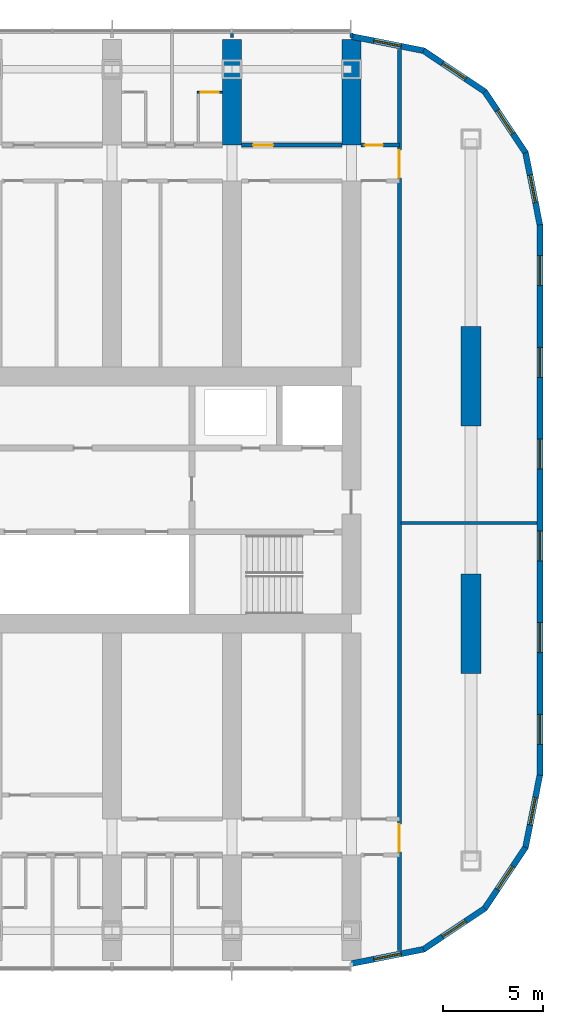
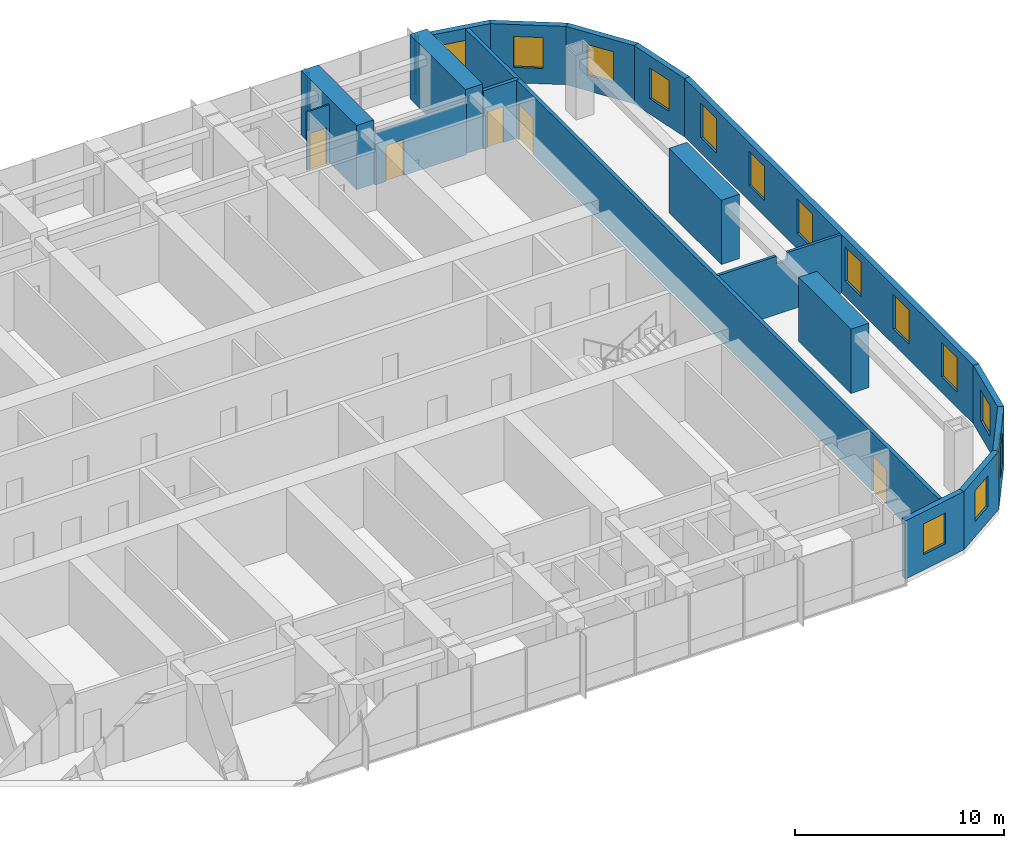
# One storey, part 15 of 20: 20 walls, 14 windows, 5 doors, 19 openings.
"""IFC4 building model written with IfcOpenShell, lengths in metres."""

from ifc_helpers import new_model, si_unit, direction, frame, frame_2d, origin, place, context, subcontext, project, spatial, polyline, rectangle, outline, extrude, material, layer, layer_set, type_object, element, fill, save


model = new_model("IFC4")

# Units and contexts
model_context = context("Model", 3, precision=1e-05, world=origin(), true_north=direction((0.0, 1.0)))
body_context = subcontext(model_context, "Body", "Model", "MODEL_VIEW")
ifc_project = project(units=[si_unit("LENGTHUNIT", "METRE"), si_unit("AREAUNIT", "SQUARE_METRE"), si_unit("VOLUMEUNIT", "CUBIC_METRE"), si_unit("PLANEANGLEUNIT", "RADIAN"), si_unit("MASSUNIT", "GRAM", prefix="KILO")], contexts=[model_context])

# Site, building, storey
site_placement = place(None, origin())
site = spatial("IfcSite", under=ifc_project, at=site_placement, CompositionType="ELEMENT")
building_placement = place(site_placement, origin())
building = spatial("IfcBuilding", under=site, at=building_placement, Name="Orbita Commons", CompositionType="ELEMENT")
storey_placement = place(building_placement, frame((0.0, 0.0, 129.39990234375)))
storey = spatial("IfcBuildingStorey", under=building, at=storey_placement, Name="L32", CompositionType="ELEMENT", Elevation=129.39990234375)

# Wall, opening, door
ifc_material_1 = material(Name="Concrete blockwork", Category="masonry")
ifc_layer_1 = layer(ifc_material_1, 0.199951171875)
ifc_layer_set_1 = layer_set([ifc_layer_1], Name="Concrete blockwork")
wall_type_1 = type_object("IfcWallType", Name="Corridor wall 200 blockwork", PredefinedType="SOLIDWALL", material=ifc_layer_set_1)
wall_1_placement = place(storey_placement, frame((60.47509765625, 49.800048828125, 0.0), z_axis=(0.0, 0.0, 1.0), x_axis=(1.0, 0.0, 0.0)))
wall_1 = element("IfcWall", 1, at=wall_1_placement, inside=storey, type_object=wall_type_1, Name="Corridor wall 200 blockwork L32", PredefinedType="SOLIDWALL", context=body_context, shape_type="SweptSolid", body=[
    extrude(outline(polyline([(0.0, 0.0), (5.0498046875, 0.0), (5.050048828125, 3.0), (0.0, 3.0), (0.0, 0.0)])), frame((0.0, 0.10009765625, 0.0), z_axis=(0.0, -1.0, 0.0), x_axis=(1.0, 0.0, 0.0)), (0.0, 0.0, 1.0), 0.199951171875),
])
opening_1_placement = place(wall_1_placement, frame((0.60009765625, 0.0, 0.0)))
opening_1 = element("IfcOpeningElement", 2, at=opening_1_placement, cuts=wall_1, Name="Opening D06", PredefinedType="OPENING", context=body_context, shape_type="SweptSolid", body=[
    extrude(rectangle(XDim=1.0, YDim=2.10009765625, at=frame_2d((0.5, 1.050048828125))), frame((0.0, 0.10986328125, 0.0), z_axis=(0.0, -1.0, 0.0), x_axis=(1.0, 0.0, 0.0)), (0.0, 0.0, 1.0), 0.219970703125),
])
ifc_material_2 = material(Name="Steel-faced fire door leaf", Category="steel")
door_type_1 = type_object("IfcDoorType", Name="Corridor door 20 min 1000x2100", OperationType="SINGLE_SWING_LEFT", PredefinedType="DOOR", material=ifc_material_2)
door_1_placement = place(opening_1_placement, origin())
door_1 = element("IfcDoor", 3, at=door_1_placement, inside=storey, type_object=door_type_1, Name="Cluster kitchen-diner L32-N16 door", OperationType="SINGLE_SWING_LEFT", OverallHeight=2.10009765625, OverallWidth=1.0, PredefinedType="DOOR", context=body_context, shape_type="SweptSolid", body=[
    extrude(rectangle(XDim=1.0, YDim=2.10009765625, at=frame_2d((0.5, 1.050048828125))), frame((0.0, 0.02490234375, 0.0), z_axis=(0.0, -1.0, 0.0), x_axis=(1.0, 0.0, 0.0)), (0.0, 0.0, 1.0), 0.050048828125),
])
fill(opening_1, door_1)

wall_2_placement = place(storey_placement, frame((66.47509765625, 49.800048828125, 0.0), z_axis=(0.0, 0.0, 1.0), x_axis=(1.0, 0.0, 0.0)))
wall_2 = element("IfcWall", 4, at=wall_2_placement, inside=storey, type_object=wall_type_1, Name="Corridor wall 200 blockwork L32", PredefinedType="SOLIDWALL", context=body_context, shape_type="SweptSolid", body=[
    extrude(rectangle(XDim=1.9248046875, YDim=0.199951171875, at=frame_2d((0.96240234375, 0.0))), origin(), (0.0, 0.0, 1.0), 3.400146484375),
])
opening_2_placement = place(wall_2_placement, frame((0.199951171875, 0.0, 0.0)))
opening_2 = element("IfcOpeningElement", 5, at=opening_2_placement, cuts=wall_2, Name="Opening D05", PredefinedType="OPENING", context=body_context, shape_type="SweptSolid", body=[
    extrude(rectangle(XDim=0.89990234375, YDim=2.10009765625, at=frame_2d((0.449951171875, 1.050048828125))), frame((0.0, 0.10986328125, 0.0), z_axis=(0.0, -1.0, 0.0), x_axis=(1.0, 0.0, 0.0)), (0.0, 0.0, 1.0), 0.219970703125),
])
ifc_material_3 = material(Name="Steel-faced fire door leaf", Category="steel")
door_type_2 = type_object("IfcDoorType", Name="Service door 20 min 900x2100", OperationType="SINGLE_SWING_LEFT", PredefinedType="DOOR", material=ifc_material_3)
door_2_placement = place(opening_2_placement, origin())
door_2 = element("IfcDoor", 6, at=door_2_placement, inside=storey, type_object=door_type_2, Name="Linen store L32-KEN door", OperationType="SINGLE_SWING_LEFT", OverallHeight=2.10009765625, OverallWidth=0.89990234375, PredefinedType="DOOR", context=body_context, shape_type="SweptSolid", body=[
    extrude(rectangle(XDim=0.89990234375, YDim=2.10009765625, at=frame_2d((0.449951171875, 1.050048828125))), frame((0.0, 0.02490234375, 0.0), z_axis=(0.0, -1.0, 0.0), x_axis=(1.0, 0.0, 0.0)), (0.0, 0.0, 1.0), 0.050048828125),
])
fill(opening_2, door_2)

# Wall, openings, doors
wall_3_placement = place(storey_placement, frame((68.39990234375, 9.4052734375, 0.0), z_axis=(0.0, 0.0, 1.0), x_axis=(0.0, 1.0, 0.0)))
wall_3 = element("IfcWall", 7, at=wall_3_placement, inside=storey, type_object=wall_type_1, Name="Corridor wall 200 blockwork L32", PredefinedType="SOLIDWALL", context=body_context, shape_type="SweptSolid", body=[
    extrude(rectangle(XDim=45.189453125, YDim=0.199951171875, at=frame_2d((22.5947265625, 0.0))), origin(), (0.0, 0.0, 1.0), 3.400146484375),
])
opening_3_placement = place(wall_3_placement, frame((4.94482421875, 0.0, 0.0)))
opening_3 = element("IfcOpeningElement", 8, at=opening_3_placement, cuts=wall_3, Name="Opening D08", PredefinedType="OPENING", context=body_context, shape_type="SweptSolid", body=[
    extrude(rectangle(XDim=1.39990234375, YDim=2.10009765625, at=frame_2d((0.699951171875, 1.050048828125))), frame((0.0, 0.10986328125, 0.0), z_axis=(0.0, -1.0, 0.0), x_axis=(1.0, 0.0, 0.0)), (0.0, 0.0, 1.0), 0.219970703125),
])
opening_4_placement = place(wall_3_placement, frame((38.74462890625, 0.0, 0.0)))
opening_4 = element("IfcOpeningElement", 9, at=opening_4_placement, cuts=wall_3, Name="Opening D08", PredefinedType="OPENING", context=body_context, shape_type="SweptSolid", body=[
    extrude(rectangle(XDim=1.39990234375, YDim=2.10009765625, at=frame_2d((0.699951171875, 1.050048828125))), frame((0.0, 0.10986328125, 0.0), z_axis=(0.0, -1.0, 0.0), x_axis=(1.0, 0.0, 0.0)), (0.0, 0.0, 1.0), 0.219970703125),
])
ifc_material_4 = material(Name="Steel-faced fire door leaf", Category="steel")
door_type_3 = type_object("IfcDoorType", Name="Double corridor door 20 min 1400x2100", OperationType="DOUBLE_DOOR_SINGLE_SWING", PredefinedType="DOOR", material=ifc_material_4)
door_3_placement = place(opening_3_placement, origin())
door_3 = element("IfcDoor", 10, at=door_3_placement, inside=storey, type_object=door_type_3, Name="Lounge doors", OperationType="DOUBLE_DOOR_SINGLE_SWING", OverallHeight=2.10009765625, OverallWidth=1.39990234375, PredefinedType="DOOR", context=body_context, shape_type="SweptSolid", body=[
    extrude(rectangle(XDim=1.39990234375, YDim=2.10009765625, at=frame_2d((0.699951171875, 1.050048828125))), frame((0.0, 0.02490234375, 0.0), z_axis=(0.0, -1.0, 0.0), x_axis=(1.0, 0.0, 0.0)), (0.0, 0.0, 1.0), 0.050048828125),
])
fill(opening_3, door_3)
door_4_placement = place(opening_4_placement, origin())
door_4 = element("IfcDoor", 11, at=door_4_placement, inside=storey, type_object=door_type_3, Name="Lounge doors", OperationType="DOUBLE_DOOR_SINGLE_SWING", OverallHeight=2.10009765625, OverallWidth=1.39990234375, PredefinedType="DOOR", context=body_context, shape_type="SweptSolid", body=[
    extrude(rectangle(XDim=1.39990234375, YDim=2.10009765625, at=frame_2d((0.699951171875, 1.050048828125))), frame((0.0, 0.02490234375, 0.0), z_axis=(0.0, -1.0, 0.0), x_axis=(1.0, 0.0, 0.0)), (0.0, 0.0, 1.0), 0.050048828125),
])
fill(opening_4, door_4)

# Walls
ifc_material_5 = material(Name="Concrete C50/60", Category="concrete")
ifc_layer_2 = layer(ifc_material_5, 0.949951171875)
ifc_layer_set_2 = layer_set([ifc_layer_2], Name="Concrete C50/60")
wall_type_2 = type_object("IfcWallType", Name="Cross wall 950 C50/60", PredefinedType="SHEAR", material=ifc_layer_set_2)
for number, where, z_axis, x_axis, name in (
    (12, (60.0, 49.800048828125, 0.0), (0.0, 0.0, 1.0), (0.0, 1.0, 0.0), "Cross wall 11 north outer L32"),
    (13, (66.0, 49.800048828125, 0.0), (0.0, 0.0, 1.0), (0.0, 1.0, 0.0), "Cross wall 12 north outer L32"),
):
    element("IfcWall", number, at=place(storey_placement, frame(where, z_axis=z_axis, x_axis=x_axis)), inside=storey, type_object=wall_type_2, Name=name, PredefinedType="SHEAR", context=body_context, shape_type="SweptSolid", body=[
        extrude(rectangle(XDim=5.300048828125, YDim=0.949951171875, at=frame_2d((2.64990234375, 0.0))), origin(), (0.0, 0.0, 1.0), 3.75),
    ])

# Wall, opening, door
ifc_material_6 = material(Name="Moisture-resistant plasterboard on steel studs", Category="steel")
ifc_layer_3 = layer(ifc_material_6, 0.10009765625)
ifc_layer_set_3 = layer_set([ifc_layer_3], Name="Moisture-resistant plasterboard on steel studs")
wall_type_3 = type_object("IfcWallType", Name="En-suite partition 100", PredefinedType="PARTITIONING", material=ifc_layer_set_3)
wall_4_placement = place(storey_placement, frame((58.27490234375, 52.441650390625, 0.0), z_axis=(0.0, 0.0, 1.0), x_axis=(1.0, 0.0, 0.0)))
wall_4 = element("IfcWall", 14, at=wall_4_placement, inside=storey, type_object=wall_type_3, Name="En-suite partition 100 L32", PredefinedType="PARTITIONING", context=body_context, shape_type="SweptSolid", body=[
    extrude(rectangle(XDim=1.25, YDim=0.10009765625, at=frame_2d((0.625, 0.0))), origin(), (0.0, 0.0, 1.0), 3.400146484375),
])
opening_5_placement = place(wall_4_placement, frame((0.175048828125, 0.0, 0.0)))
opening_5 = element("IfcOpeningElement", 15, at=opening_5_placement, cuts=wall_4, Name="Opening D09", PredefinedType="OPENING", context=body_context, shape_type="SweptSolid", body=[
    extrude(rectangle(XDim=0.89990234375, YDim=2.10009765625, at=frame_2d((0.449951171875, 1.050048828125))), frame((0.0, 0.06005859375, 0.0), z_axis=(0.0, -1.0, 0.0), x_axis=(1.0, 0.0, 0.0)), (0.0, 0.0, 1.0), 0.1201171875),
])
ifc_material_7 = material(Name="Laminated timber door leaf", Category="wood")
door_type_4 = type_object("IfcDoorType", Name="En-suite door 900x2100", OperationType="SINGLE_SWING_RIGHT", PredefinedType="DOOR", material=ifc_material_7)
door_5_placement = place(opening_5_placement, origin())
door_5 = element("IfcDoor", 16, at=door_5_placement, inside=storey, type_object=door_type_4, Name="En-suite L32-N15 door", OperationType="SINGLE_SWING_RIGHT", OverallHeight=2.10009765625, OverallWidth=0.89990234375, PredefinedType="DOOR", context=body_context, shape_type="SweptSolid", body=[
    extrude(rectangle(XDim=0.89990234375, YDim=2.10009765625, at=frame_2d((0.449951171875, 1.050048828125))), frame((0.0, 0.02490234375, 0.0), z_axis=(0.0, -1.0, 0.0), x_axis=(1.0, 0.0, 0.0)), (0.0, 0.0, 1.0), 0.050048828125),
])
fill(opening_5, door_5)

# Walls
ifc_material_8 = material(Name="Concrete C50/60", Category="concrete")
ifc_layer_4 = layer(ifc_material_8, 1.0)
ifc_layer_set_4 = layer_set([ifc_layer_4], Name="Concrete C50/60")
wall_type_4 = type_object("IfcWallType", Name="End pier 1000x5000 C50/60", PredefinedType="SHEAR", material=ifc_layer_set_4)
for number, where, z_axis, x_axis, name in (
    (17, (72.0, 23.300048828125, 0.0), (0.0, 0.0, 1.0), (0.0, 1.0, 0.0), "End pier 13/C L32"),
    (18, (72.0, 35.699951171875, 0.0), (0.0, 0.0, 1.0), (0.0, 1.0, 0.0), "End pier 13/D L32"),
):
    element("IfcWall", number, at=place(storey_placement, frame(where, z_axis=z_axis, x_axis=x_axis)), inside=storey, type_object=wall_type_4, Name=name, PredefinedType="SHEAR", context=body_context, shape_type="SweptSolid", body=[
        extrude(rectangle(XDim=5.0, YDim=1.0, at=frame_2d((2.5, 0.0))), origin(), (0.0, 0.0, 1.0), 3.75),
    ])
ifc_material_9 = material(Name="Gypsum plasterboard on steel studs", Category="steel")
ifc_layer_5 = layer(ifc_material_9, 0.14990234375)
ifc_layer_set_5 = layer_set([ifc_layer_5], Name="Gypsum plasterboard on steel studs")
wall_type_5 = type_object("IfcWallType", Name="Partition 150 plasterboard", PredefinedType="PARTITIONING", material=ifc_layer_set_5)
wall_5_placement = place(storey_placement, frame((68.47509765625, 30.85009765625, 0.0), z_axis=(0.0, 0.0, 1.0), x_axis=(1.0, 0.0, 0.0)))
element("IfcWall", 19, at=wall_5_placement, inside=storey, type_object=wall_type_5, Name="Partition 150 plasterboard L32", PredefinedType="PARTITIONING", context=body_context, shape_type="SweptSolid", body=[
    extrude(outline(polyline([(0.0, 0.0), (6.81982421875, 0.0), (6.820068359375, 3.400146484375), (3.826904296875, 3.400146484375), (3.824951171875, 2.9501953125), (3.22705078125, 2.9501953125), (3.22509765625, 3.400146484375), (0.0, 3.400146484375), (0.0, 0.0)])), frame((0.0, 0.074951171875, 0.0), z_axis=(0.0, -1.0, 0.0), x_axis=(1.0, 0.0, 0.0)), (0.0, 0.0, 1.0), 0.14990234375),
])
wall_6_placement = place(storey_placement, frame((60.0, 55.199951171875, 0.0), z_axis=(0.0, 0.0, 1.0), x_axis=(0.0, 1.0, 0.0)))
element("IfcWall", 20, at=wall_6_placement, inside=storey, type_object=wall_type_5, Name="Partition 150 plasterboard L32", PredefinedType="PARTITIONING", context=body_context, shape_type="SweptSolid", body=[
    extrude(rectangle(XDim=0.18994140625, YDim=0.14990234375, at=frame_2d((0.094970703125, 0.0))), origin(), (0.0, 0.0, 1.0), 3.400146484375),
])
wall_7_placement = place(storey_placement, frame((66.0, 55.199951171875, 0.0), z_axis=(0.0, 0.0, 1.0), x_axis=(0.0, 1.0, 0.0)))
element("IfcWall", 21, at=wall_7_placement, inside=storey, type_object=wall_type_5, Name="Partition 150 plasterboard L32", PredefinedType="PARTITIONING", context=body_context, shape_type="SweptSolid", body=[
    extrude(rectangle(XDim=0.219970703125, YDim=0.14990234375, at=frame_2d((0.10986328125, 0.0))), origin(), (0.0, 0.0, 1.0), 3.400146484375),
])

# Wall, openings, windows
ifc_material_10 = material(Name="Precast concrete C40/50, white board-marked finish", Category="concrete")
ifc_layer_6 = layer(ifc_material_10, 0.300048828125)
ifc_layer_set_6 = layer_set([ifc_layer_6], Name="Precast concrete C40/50, white board-marked finish")
wall_type_6 = type_object("IfcWallType", Name="Precast concrete end shield 300", PredefinedType="SOLIDWALL", material=ifc_layer_set_6)
wall_8_placement = place(storey_placement, frame((75.449951171875, 18.199951171875, 0.0), z_axis=(0.0, 0.0, 1.0), x_axis=(0.0, 1.0, 0.0)))
wall_8 = element("IfcWall", 22, at=wall_8_placement, inside=storey, type_object=wall_type_6, Name="End shield E L32", PredefinedType="SOLIDWALL", context=body_context, shape_type="SweptSolid", body=[
    extrude(outline(polyline([(-0.014892578125, -0.14990234375), (27.614990234375, -0.14990234375), (27.585205078125, 0.14990234375), (0.014892578125, 0.14990234375), (-0.014892578125, -0.14990234375)])), origin(), (0.0, 0.0, 1.0), 3.400146484375),
])
opening_6_placement = place(wall_8_placement, frame((1.550048828125, 0.0, 0.89990234375)))
opening_6 = element("IfcOpeningElement", 23, at=opening_6_placement, cuts=wall_8, Name="Opening W01", PredefinedType="OPENING", context=body_context, shape_type="SweptSolid", body=[
    extrude(rectangle(XDim=1.5, YDim=2.0, at=frame_2d((0.75, 1.0))), frame((0.0, 0.159912109375, 0.0), z_axis=(0.0, -1.0, 0.0), x_axis=(1.0, 0.0, 0.0)), (0.0, 0.0, 1.0), 0.320068359375),
])
opening_7_placement = place(wall_8_placement, frame((6.14990234375, 0.0, 0.89990234375)))
opening_7 = element("IfcOpeningElement", 24, at=opening_7_placement, cuts=wall_8, Name="Opening W01", PredefinedType="OPENING", context=body_context, shape_type="SweptSolid", body=[
    extrude(rectangle(XDim=1.5, YDim=2.0, at=frame_2d((0.75, 1.0))), frame((0.0, 0.159912109375, 0.0), z_axis=(0.0, -1.0, 0.0), x_axis=(1.0, 0.0, 0.0)), (0.0, 0.0, 1.0), 0.320068359375),
])
opening_8_placement = place(wall_8_placement, frame((10.75, 0.0, 0.89990234375)))
opening_8 = element("IfcOpeningElement", 25, at=opening_8_placement, cuts=wall_8, Name="Opening W01", PredefinedType="OPENING", context=body_context, shape_type="SweptSolid", body=[
    extrude(rectangle(XDim=1.5, YDim=2.0, at=frame_2d((0.75, 1.0))), frame((0.0, 0.159912109375, 0.0), z_axis=(0.0, -1.0, 0.0), x_axis=(1.0, 0.0, 0.0)), (0.0, 0.0, 1.0), 0.320068359375),
])
opening_9_placement = place(wall_8_placement, frame((15.35009765625, 0.0, 0.89990234375)))
opening_9 = element("IfcOpeningElement", 26, at=opening_9_placement, cuts=wall_8, Name="Opening W01", PredefinedType="OPENING", context=body_context, shape_type="SweptSolid", body=[
    extrude(rectangle(XDim=1.5, YDim=2.0, at=frame_2d((0.75, 1.0))), frame((0.0, 0.159912109375, 0.0), z_axis=(0.0, -1.0, 0.0), x_axis=(1.0, 0.0, 0.0)), (0.0, 0.0, 1.0), 0.320068359375),
])
opening_10_placement = place(wall_8_placement, frame((19.949951171875, 0.0, 0.89990234375)))
opening_10 = element("IfcOpeningElement", 27, at=opening_10_placement, cuts=wall_8, Name="Opening W01", PredefinedType="OPENING", context=body_context, shape_type="SweptSolid", body=[
    extrude(rectangle(XDim=1.5, YDim=2.0, at=frame_2d((0.75, 1.0))), frame((0.0, 0.159912109375, 0.0), z_axis=(0.0, -1.0, 0.0), x_axis=(1.0, 0.0, 0.0)), (0.0, 0.0, 1.0), 0.320068359375),
])
opening_11_placement = place(wall_8_placement, frame((24.550048828125, 0.0, 0.89990234375)))
opening_11 = element("IfcOpeningElement", 28, at=opening_11_placement, cuts=wall_8, Name="Opening W01", PredefinedType="OPENING", context=body_context, shape_type="SweptSolid", body=[
    extrude(rectangle(XDim=1.5, YDim=2.0, at=frame_2d((0.75, 1.0))), frame((0.0, 0.159912109375, 0.0), z_axis=(0.0, -1.0, 0.0), x_axis=(1.0, 0.0, 0.0)), (0.0, 0.0, 1.0), 0.320068359375),
])
ifc_material_11 = material(Name="Aluminium frame, clear double glazing", Category="aluminium")
window_type_1 = type_object("IfcWindowType", Name="Deep-set window 1500x2000", PartitioningType="SINGLE_PANEL", PredefinedType="WINDOW", material=ifc_material_11)
window_1_placement = place(opening_6_placement, origin())
window_1 = element("IfcWindow", 29, at=window_1_placement, inside=storey, type_object=window_type_1, Name="Window L32-E 1", OverallHeight=2.0, OverallWidth=1.5, PartitioningType="SINGLE_PANEL", PredefinedType="WINDOW", context=body_context, shape_type="SweptSolid", body=[
    extrude(rectangle(XDim=1.5, YDim=2.0, at=frame_2d((0.75, 1.0))), frame((0.0, 0.030029296875, 0.0), z_axis=(0.0, -1.0, 0.0), x_axis=(1.0, 0.0, 0.0)), (0.0, 0.0, 1.0), 0.06005859375),
])
fill(opening_6, window_1)
window_2_placement = place(opening_7_placement, origin())
window_2 = element("IfcWindow", 30, at=window_2_placement, inside=storey, type_object=window_type_1, Name="Window L32-E 2", OverallHeight=2.0, OverallWidth=1.5, PartitioningType="SINGLE_PANEL", PredefinedType="WINDOW", context=body_context, shape_type="SweptSolid", body=[
    extrude(rectangle(XDim=1.5, YDim=2.0, at=frame_2d((0.75, 1.0))), frame((0.0, 0.030029296875, 0.0), z_axis=(0.0, -1.0, 0.0), x_axis=(1.0, 0.0, 0.0)), (0.0, 0.0, 1.0), 0.06005859375),
])
fill(opening_7, window_2)
window_3_placement = place(opening_8_placement, origin())
window_3 = element("IfcWindow", 31, at=window_3_placement, inside=storey, type_object=window_type_1, Name="Window L32-E 3", OverallHeight=2.0, OverallWidth=1.5, PartitioningType="SINGLE_PANEL", PredefinedType="WINDOW", context=body_context, shape_type="SweptSolid", body=[
    extrude(rectangle(XDim=1.5, YDim=2.0, at=frame_2d((0.75, 1.0))), frame((0.0, 0.030029296875, 0.0), z_axis=(0.0, -1.0, 0.0), x_axis=(1.0, 0.0, 0.0)), (0.0, 0.0, 1.0), 0.06005859375),
])
fill(opening_8, window_3)
window_4_placement = place(opening_9_placement, origin())
window_4 = element("IfcWindow", 32, at=window_4_placement, inside=storey, type_object=window_type_1, Name="Window L32-E 4", OverallHeight=2.0, OverallWidth=1.5, PartitioningType="SINGLE_PANEL", PredefinedType="WINDOW", context=body_context, shape_type="SweptSolid", body=[
    extrude(rectangle(XDim=1.5, YDim=2.0, at=frame_2d((0.75, 1.0))), frame((0.0, 0.030029296875, 0.0), z_axis=(0.0, -1.0, 0.0), x_axis=(1.0, 0.0, 0.0)), (0.0, 0.0, 1.0), 0.06005859375),
])
fill(opening_9, window_4)
window_5_placement = place(opening_10_placement, origin())
window_5 = element("IfcWindow", 33, at=window_5_placement, inside=storey, type_object=window_type_1, Name="Window L32-E 5", OverallHeight=2.0, OverallWidth=1.5, PartitioningType="SINGLE_PANEL", PredefinedType="WINDOW", context=body_context, shape_type="SweptSolid", body=[
    extrude(rectangle(XDim=1.5, YDim=2.0, at=frame_2d((0.75, 1.0))), frame((0.0, 0.030029296875, 0.0), z_axis=(0.0, -1.0, 0.0), x_axis=(1.0, 0.0, 0.0)), (0.0, 0.0, 1.0), 0.06005859375),
])
fill(opening_10, window_5)
window_6_placement = place(opening_11_placement, origin())
window_6 = element("IfcWindow", 34, at=window_6_placement, inside=storey, type_object=window_type_1, Name="Window L32-E 6", OverallHeight=2.0, OverallWidth=1.5, PartitioningType="SINGLE_PANEL", PredefinedType="WINDOW", context=body_context, shape_type="SweptSolid", body=[
    extrude(rectangle(XDim=1.5, YDim=2.0, at=frame_2d((0.75, 1.0))), frame((0.0, 0.030029296875, 0.0), z_axis=(0.0, -1.0, 0.0), x_axis=(1.0, 0.0, 0.0)), (0.0, 0.0, 1.0), 0.06005859375),
])
fill(opening_11, window_6)

# Wall, opening, window
wall_9_placement = place(storey_placement, frame((66.0, 8.75, 0.0), z_axis=(0.0, 0.0, 1.0), x_axis=(0.980791473772, 0.195059183267, 0.0)))
wall_9 = element("IfcWall", 35, at=wall_9_placement, inside=storey, type_object=wall_type_6, Name="End shield SE chord 1 L32", PredefinedType="SOLIDWALL", context=body_context, shape_type="SweptSolid", body=[
    extrude(outline(polyline([(-0.02978515625, -0.14990234375), (3.717041015625, -0.14990234375), (3.657470703125, 0.14990234375), (0.02978515625, 0.14990234375), (-0.02978515625, -0.14990234375)])), origin(), (0.0, 0.0, 1.0), 3.400146484375),
])
opening_12_placement = place(wall_9_placement, frame((1.1435546875, 0.0, 0.89990234375)))
opening_12 = element("IfcOpeningElement", 36, at=opening_12_placement, cuts=wall_9, Name="Opening W02", PredefinedType="OPENING", context=body_context, shape_type="SweptSolid", body=[
    extrude(rectangle(XDim=1.39990234375, YDim=1.800048828125, at=frame_2d((0.699951171875, 0.89990234375))), frame((0.0, 0.159912109375, 0.0), z_axis=(0.0, -1.0, 0.0), x_axis=(1.0, 0.0, 0.0)), (0.0, 0.0, 1.0), 0.320068359375),
])
ifc_material_12 = material(Name="Aluminium frame, clear double glazing", Category="aluminium")
window_type_2 = type_object("IfcWindowType", Name="Deep-set window 1400x1800", PartitioningType="SINGLE_PANEL", PredefinedType="WINDOW", material=ifc_material_12)
window_7_placement = place(opening_12_placement, origin())
window_7 = element("IfcWindow", 37, at=window_7_placement, inside=storey, type_object=window_type_2, Name="Window L32-SE0", OverallHeight=1.800048828125, OverallWidth=1.39990234375, PartitioningType="SINGLE_PANEL", PredefinedType="WINDOW", context=body_context, shape_type="SweptSolid", body=[
    extrude(rectangle(XDim=1.39990234375, YDim=1.800048828125, at=frame_2d((0.699951171875, 0.89990234375))), frame((0.0, 0.030029296875, 0.0), z_axis=(0.0, -1.0, 0.0), x_axis=(1.0, 0.0, 0.0)), (0.0, 0.0, 1.0), 0.06005859375),
])
fill(opening_12, window_7)

wall_10_placement = place(storey_placement, frame((69.616455078125, 9.46923828125, 0.0), z_axis=(0.0, 0.0, 1.0), x_axis=(0.831448786846, 0.555601399253, 0.0)))
wall_10 = element("IfcWall", 38, at=wall_10_placement, inside=storey, type_object=wall_type_6, Name="End shield SE chord 2 L32", PredefinedType="SOLIDWALL", context=body_context, shape_type="SweptSolid", body=[
    extrude(outline(polyline([(-0.02978515625, -0.14990234375), (3.717041015625, -0.14990234375), (3.657470703125, 0.14990234375), (0.02978515625, 0.14990234375), (-0.02978515625, -0.14990234375)])), origin(), (0.0, 0.0, 1.0), 3.400146484375),
])
opening_13_placement = place(wall_10_placement, frame((1.1435546875, 0.0, 0.89990234375)))
opening_13 = element("IfcOpeningElement", 39, at=opening_13_placement, cuts=wall_10, Name="Opening W02", PredefinedType="OPENING", context=body_context, shape_type="SweptSolid", body=[
    extrude(rectangle(XDim=1.39990234375, YDim=1.800048828125, at=frame_2d((0.699951171875, 0.89990234375))), frame((0.0, 0.159912109375, 0.0), z_axis=(0.0, -1.0, 0.0), x_axis=(1.0, 0.0, 0.0)), (0.0, 0.0, 1.0), 0.320068359375),
])
window_8_placement = place(opening_13_placement, origin())
window_8 = element("IfcWindow", 40, at=window_8_placement, inside=storey, type_object=window_type_2, Name="Window L32-SE1", OverallHeight=1.800048828125, OverallWidth=1.39990234375, PartitioningType="SINGLE_PANEL", PredefinedType="WINDOW", context=body_context, shape_type="SweptSolid", body=[
    extrude(rectangle(XDim=1.39990234375, YDim=1.800048828125, at=frame_2d((0.699951171875, 0.89990234375))), frame((0.0, 0.030029296875, 0.0), z_axis=(0.0, -1.0, 0.0), x_axis=(1.0, 0.0, 0.0)), (0.0, 0.0, 1.0), 0.06005859375),
])
fill(opening_13, window_8)

wall_11_placement = place(storey_placement, frame((72.68212890625, 11.517822265625, 0.0), z_axis=(0.0, 0.0, 1.0), x_axis=(0.555601399253, 0.831448786846, 0.0)))
wall_11 = element("IfcWall", 41, at=wall_11_placement, inside=storey, type_object=wall_type_6, Name="End shield SE chord 3 L32", PredefinedType="SOLIDWALL", context=body_context, shape_type="SweptSolid", body=[
    extrude(outline(polyline([(-0.02978515625, -0.14990234375), (3.717041015625, -0.14990234375), (3.657470703125, 0.14990234375), (0.02978515625, 0.14990234375), (-0.02978515625, -0.14990234375)])), origin(), (0.0, 0.0, 1.0), 3.400146484375),
])
opening_14_placement = place(wall_11_placement, frame((1.1435546875, 0.0, 0.89990234375)))
opening_14 = element("IfcOpeningElement", 42, at=opening_14_placement, cuts=wall_11, Name="Opening W02", PredefinedType="OPENING", context=body_context, shape_type="SweptSolid", body=[
    extrude(rectangle(XDim=1.39990234375, YDim=1.800048828125, at=frame_2d((0.699951171875, 0.89990234375))), frame((0.0, 0.159912109375, 0.0), z_axis=(0.0, -1.0, 0.0), x_axis=(1.0, 0.0, 0.0)), (0.0, 0.0, 1.0), 0.320068359375),
])
window_9_placement = place(opening_14_placement, origin())
window_9 = element("IfcWindow", 43, at=window_9_placement, inside=storey, type_object=window_type_2, Name="Window L32-SE2", OverallHeight=1.800048828125, OverallWidth=1.39990234375, PartitioningType="SINGLE_PANEL", PredefinedType="WINDOW", context=body_context, shape_type="SweptSolid", body=[
    extrude(rectangle(XDim=1.39990234375, YDim=1.800048828125, at=frame_2d((0.699951171875, 0.89990234375))), frame((0.0, 0.030029296875, 0.0), z_axis=(0.0, -1.0, 0.0), x_axis=(1.0, 0.0, 0.0)), (0.0, 0.0, 1.0), 0.06005859375),
])
fill(opening_14, window_9)

wall_12_placement = place(storey_placement, frame((74.730712890625, 14.58349609375, 0.0), z_axis=(0.0, 0.0, 1.0), x_axis=(0.195059183267, 0.980791473772, 0.0)))
wall_12 = element("IfcWall", 44, at=wall_12_placement, inside=storey, type_object=wall_type_6, Name="End shield SE chord 4 L32", PredefinedType="SOLIDWALL", context=body_context, shape_type="SweptSolid", body=[
    extrude(outline(polyline([(-0.02978515625, -0.14990234375), (3.7021484375, -0.14990234375), (3.67236328125, 0.14990234375), (0.02978515625, 0.14990234375), (-0.02978515625, -0.14990234375)])), origin(), (0.0, 0.0, 1.0), 3.400146484375),
])
opening_15_placement = place(wall_12_placement, frame((1.1435546875, 0.0, 0.89990234375)))
opening_15 = element("IfcOpeningElement", 45, at=opening_15_placement, cuts=wall_12, Name="Opening W02", PredefinedType="OPENING", context=body_context, shape_type="SweptSolid", body=[
    extrude(rectangle(XDim=1.39990234375, YDim=1.800048828125, at=frame_2d((0.699951171875, 0.89990234375))), frame((0.0, 0.159912109375, 0.0), z_axis=(0.0, -1.0, 0.0), x_axis=(1.0, 0.0, 0.0)), (0.0, 0.0, 1.0), 0.320068359375),
])
window_10_placement = place(opening_15_placement, origin())
window_10 = element("IfcWindow", 46, at=window_10_placement, inside=storey, type_object=window_type_2, Name="Window L32-SE3", OverallHeight=1.800048828125, OverallWidth=1.39990234375, PartitioningType="SINGLE_PANEL", PredefinedType="WINDOW", context=body_context, shape_type="SweptSolid", body=[
    extrude(rectangle(XDim=1.39990234375, YDim=1.800048828125, at=frame_2d((0.699951171875, 0.89990234375))), frame((0.0, 0.030029296875, 0.0), z_axis=(0.0, -1.0, 0.0), x_axis=(1.0, 0.0, 0.0)), (0.0, 0.0, 1.0), 0.06005859375),
])
fill(opening_15, window_10)

wall_13_placement = place(storey_placement, frame((75.449951171875, 45.800048828125, 0.0), z_axis=(0.0, 0.0, 1.0), x_axis=(-0.195059183267, 0.980791473772, 0.0)))
wall_13 = element("IfcWall", 47, at=wall_13_placement, inside=storey, type_object=wall_type_6, Name="End shield NE chord 1 L32", PredefinedType="SOLIDWALL", context=body_context, shape_type="SweptSolid", body=[
    extrude(outline(polyline([(-0.014892578125, -0.14990234375), (3.717041015625, -0.14990234375), (3.657470703125, 0.14990234375), (0.014892578125, 0.14990234375), (-0.014892578125, -0.14990234375)])), origin(), (0.0, 0.0, 1.0), 3.400146484375),
])
opening_16_placement = place(wall_13_placement, frame((1.1435546875, 0.0, 0.89990234375)))
opening_16 = element("IfcOpeningElement", 48, at=opening_16_placement, cuts=wall_13, Name="Opening W02", PredefinedType="OPENING", context=body_context, shape_type="SweptSolid", body=[
    extrude(rectangle(XDim=1.39990234375, YDim=1.800048828125, at=frame_2d((0.699951171875, 0.89990234375))), frame((0.0, 0.159912109375, 0.0), z_axis=(0.0, -1.0, 0.0), x_axis=(1.0, 0.0, 0.0)), (0.0, 0.0, 1.0), 0.320068359375),
])
window_11_placement = place(opening_16_placement, origin())
window_11 = element("IfcWindow", 49, at=window_11_placement, inside=storey, type_object=window_type_2, Name="Window L32-NE0", OverallHeight=1.800048828125, OverallWidth=1.39990234375, PartitioningType="SINGLE_PANEL", PredefinedType="WINDOW", context=body_context, shape_type="SweptSolid", body=[
    extrude(rectangle(XDim=1.39990234375, YDim=1.800048828125, at=frame_2d((0.699951171875, 0.89990234375))), frame((0.0, 0.030029296875, 0.0), z_axis=(0.0, -1.0, 0.0), x_axis=(1.0, 0.0, 0.0)), (0.0, 0.0, 1.0), 0.06005859375),
])
fill(opening_16, window_11)

wall_14_placement = place(storey_placement, frame((74.730712890625, 49.41650390625, 0.0), z_axis=(0.0, 0.0, 1.0), x_axis=(-0.555601399253, 0.831448786846, 0.0)))
wall_14 = element("IfcWall", 50, at=wall_14_placement, inside=storey, type_object=wall_type_6, Name="End shield NE chord 2 L32", PredefinedType="SOLIDWALL", context=body_context, shape_type="SweptSolid", body=[
    extrude(outline(polyline([(-0.02978515625, -0.14990234375), (3.717041015625, -0.14990234375), (3.657470703125, 0.14990234375), (0.02978515625, 0.14990234375), (-0.02978515625, -0.14990234375)])), origin(), (0.0, 0.0, 1.0), 3.400146484375),
])
opening_17_placement = place(wall_14_placement, frame((1.1435546875, 0.0, 0.89990234375)))
opening_17 = element("IfcOpeningElement", 51, at=opening_17_placement, cuts=wall_14, Name="Opening W02", PredefinedType="OPENING", context=body_context, shape_type="SweptSolid", body=[
    extrude(rectangle(XDim=1.39990234375, YDim=1.800048828125, at=frame_2d((0.699951171875, 0.89990234375))), frame((0.0, 0.159912109375, 0.0), z_axis=(0.0, -1.0, 0.0), x_axis=(1.0, 0.0, 0.0)), (0.0, 0.0, 1.0), 0.320068359375),
])
window_12_placement = place(opening_17_placement, origin())
window_12 = element("IfcWindow", 52, at=window_12_placement, inside=storey, type_object=window_type_2, Name="Window L32-NE1", OverallHeight=1.800048828125, OverallWidth=1.39990234375, PartitioningType="SINGLE_PANEL", PredefinedType="WINDOW", context=body_context, shape_type="SweptSolid", body=[
    extrude(rectangle(XDim=1.39990234375, YDim=1.800048828125, at=frame_2d((0.699951171875, 0.89990234375))), frame((0.0, 0.030029296875, 0.0), z_axis=(0.0, -1.0, 0.0), x_axis=(1.0, 0.0, 0.0)), (0.0, 0.0, 1.0), 0.06005859375),
])
fill(opening_17, window_12)

wall_15_placement = place(storey_placement, frame((72.68212890625, 52.482177734375, 0.0), z_axis=(0.0, 0.0, 1.0), x_axis=(-0.831448786846, 0.555601399253, 0.0)))
wall_15 = element("IfcWall", 53, at=wall_15_placement, inside=storey, type_object=wall_type_6, Name="End shield NE chord 3 L32", PredefinedType="SOLIDWALL", context=body_context, shape_type="SweptSolid", body=[
    extrude(outline(polyline([(-0.02978515625, -0.14990234375), (3.717041015625, -0.14990234375), (3.657470703125, 0.14990234375), (0.02978515625, 0.14990234375), (-0.02978515625, -0.14990234375)])), origin(), (0.0, 0.0, 1.0), 3.400146484375),
])
opening_18_placement = place(wall_15_placement, frame((1.1435546875, 0.0, 0.89990234375)))
opening_18 = element("IfcOpeningElement", 54, at=opening_18_placement, cuts=wall_15, Name="Opening W02", PredefinedType="OPENING", context=body_context, shape_type="SweptSolid", body=[
    extrude(rectangle(XDim=1.39990234375, YDim=1.800048828125, at=frame_2d((0.699951171875, 0.89990234375))), frame((0.0, 0.159912109375, 0.0), z_axis=(0.0, -1.0, 0.0), x_axis=(1.0, 0.0, 0.0)), (0.0, 0.0, 1.0), 0.320068359375),
])
window_13_placement = place(opening_18_placement, origin())
window_13 = element("IfcWindow", 55, at=window_13_placement, inside=storey, type_object=window_type_2, Name="Window L32-NE2", OverallHeight=1.800048828125, OverallWidth=1.39990234375, PartitioningType="SINGLE_PANEL", PredefinedType="WINDOW", context=body_context, shape_type="SweptSolid", body=[
    extrude(rectangle(XDim=1.39990234375, YDim=1.800048828125, at=frame_2d((0.699951171875, 0.89990234375))), frame((0.0, 0.030029296875, 0.0), z_axis=(0.0, -1.0, 0.0), x_axis=(1.0, 0.0, 0.0)), (0.0, 0.0, 1.0), 0.06005859375),
])
fill(opening_18, window_13)

wall_16_placement = place(storey_placement, frame((69.616455078125, 54.53076171875, 0.0), z_axis=(0.0, 0.0, 1.0), x_axis=(-0.980791473772, 0.195059183267, 0.0)))
wall_16 = element("IfcWall", 56, at=wall_16_placement, inside=storey, type_object=wall_type_6, Name="End shield NE chord 4 L32", PredefinedType="SOLIDWALL", context=body_context, shape_type="SweptSolid", body=[
    extrude(outline(polyline([(-0.02978515625, -0.14990234375), (3.717041015625, -0.14990234375), (3.657470703125, 0.14990234375), (0.02978515625, 0.14990234375), (-0.02978515625, -0.14990234375)])), origin(), (0.0, 0.0, 1.0), 3.400146484375),
])
opening_19_placement = place(wall_16_placement, frame((1.1435546875, 0.0, 0.89990234375)))
opening_19 = element("IfcOpeningElement", 57, at=opening_19_placement, cuts=wall_16, Name="Opening W02", PredefinedType="OPENING", context=body_context, shape_type="SweptSolid", body=[
    extrude(rectangle(XDim=1.39990234375, YDim=1.800048828125, at=frame_2d((0.699951171875, 0.89990234375))), frame((0.0, 0.159912109375, 0.0), z_axis=(0.0, -1.0, 0.0), x_axis=(1.0, 0.0, 0.0)), (0.0, 0.0, 1.0), 0.320068359375),
])
window_14_placement = place(opening_19_placement, origin())
window_14 = element("IfcWindow", 58, at=window_14_placement, inside=storey, type_object=window_type_2, Name="Window L32-NE3", OverallHeight=1.800048828125, OverallWidth=1.39990234375, PartitioningType="SINGLE_PANEL", PredefinedType="WINDOW", context=body_context, shape_type="SweptSolid", body=[
    extrude(rectangle(XDim=1.39990234375, YDim=1.800048828125, at=frame_2d((0.699951171875, 0.89990234375))), frame((0.0, 0.030029296875, 0.0), z_axis=(0.0, -1.0, 0.0), x_axis=(1.0, 0.0, 0.0)), (0.0, 0.0, 1.0), 0.06005859375),
])
fill(opening_19, window_14)

save(model, "model.ifc")
